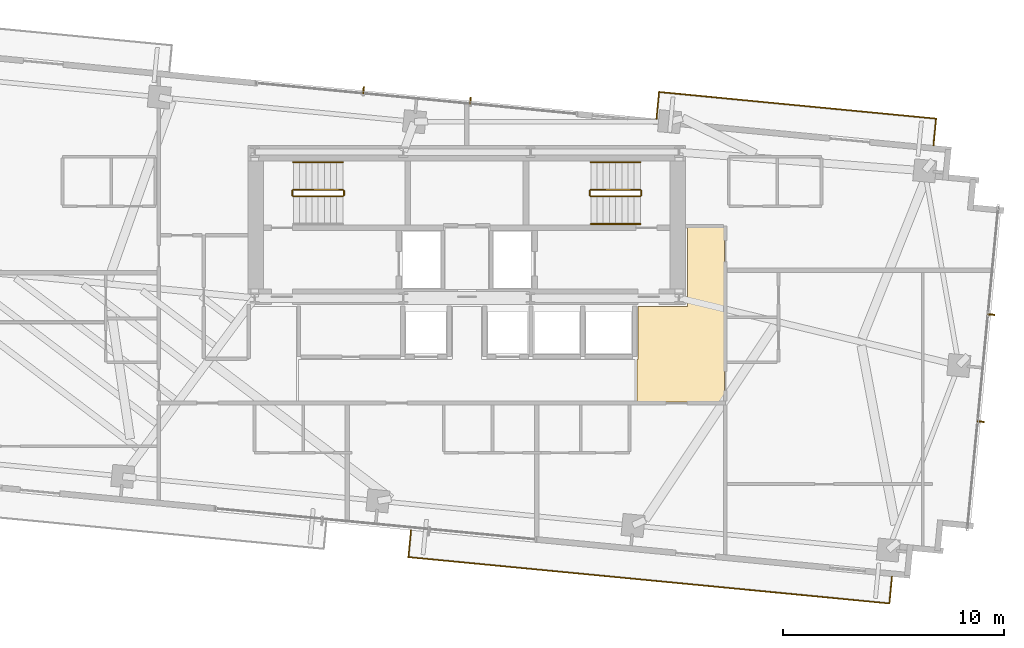
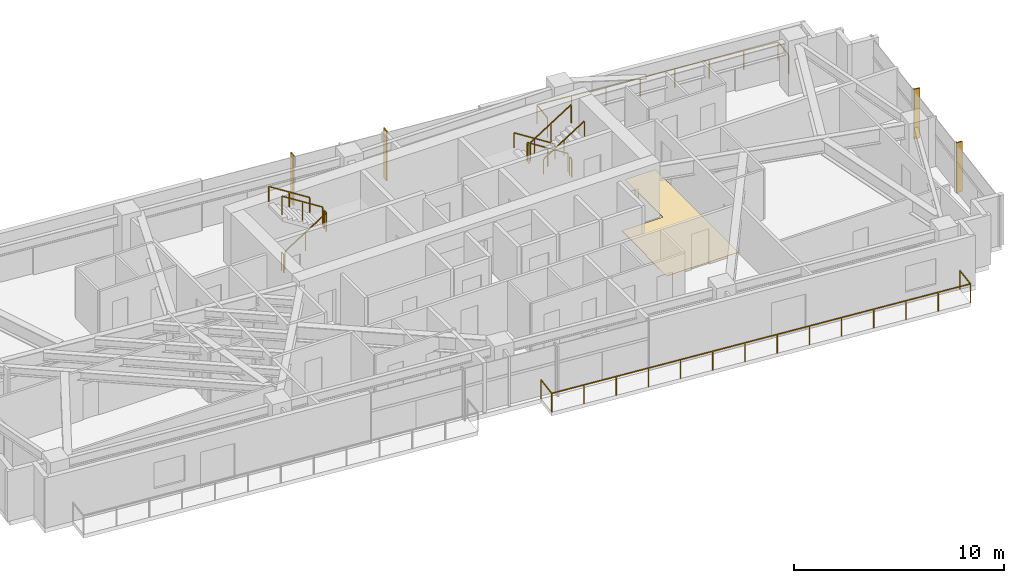
# One storey, part 20 of 20: 13 railings, 4 shading devices, 1 covering.
"""IFC4 building model written with IfcOpenShell, lengths in metres."""

from ifc_helpers import new_model, si_unit, direction, frame, origin, origin_2d, place, context, subcontext, project, spatial, polyline, rectangle, outline, extrude, source, transform, mapped, material, layer, layer_set, type_object, type_shapes, element, save


model = new_model("IFC4")

# Units and contexts
model_context = context("Model", 3, precision=1e-05, world=origin(), true_north=direction((0.0, 1.0)))
body_context = subcontext(model_context, "Body", "Model", "MODEL_VIEW")
ifc_project = project(units=[si_unit("LENGTHUNIT", "METRE"), si_unit("AREAUNIT", "SQUARE_METRE"), si_unit("VOLUMEUNIT", "CUBIC_METRE"), si_unit("PLANEANGLEUNIT", "RADIAN"), si_unit("MASSUNIT", "GRAM", prefix="KILO")], contexts=[model_context])

# Site, building, storey
site_placement = place(None, origin())
site = spatial("IfcSite", under=ifc_project, at=site_placement, CompositionType="ELEMENT")
building_placement = place(site_placement, origin())
building = spatial("IfcBuilding", under=site, at=building_placement, Name="Astriad Promenade Condominiums", CompositionType="ELEMENT")
storey_placement = place(building_placement, frame((0.0, 0.0, 159.800048828125)))
storey = spatial("IfcBuildingStorey", under=building, at=storey_placement, Name="L46", CompositionType="ELEMENT", Elevation=159.800048828125)

# Covering
ifc_material_1 = material(Name="Polished Lakefront Terrazzo Flooring")
ifc_layer = layer(ifc_material_1, 0.02001953125)
ifc_layer_set = layer_set([ifc_layer], Name="Polished Lakefront Terrazzo Flooring")
covering_type = type_object("IfcCoveringType", Name="COV-FLOR-TERRAZZO-20", PredefinedType="FLOORING", material=ifc_layer_set)
covering_placement = place(storey_placement, origin())
element("IfcCovering", 1, at=covering_placement, inside=storey, type_object=covering_type, Name="FLR-L46-COR-1", PredefinedType="FLOORING", context=body_context, shape_type="SweptSolid", body=[
    extrude(outline(polyline([(43.699951171875, 12.68994140625), (43.699951171875, 14.610107421875), (43.703857421875, 14.610107421875), (43.707763671875, 14.61083984375), (43.711669921875, 14.61181640625), (43.71533203125, 14.613037109375), (43.718994140625, 14.61474609375), (43.72216796875, 14.61669921875), (43.725341796875, 14.619140625), (43.728271484375, 14.62158203125), (43.73095703125, 14.62451171875), (43.7333984375, 14.627685546875), (43.7353515625, 14.631103515625), (43.737060546875, 14.634765625), (43.73828125, 14.638427734375), (43.7392578125, 14.64208984375), (43.73974609375, 14.64599609375), (43.739990234375, 14.64990234375), (43.739990234375, 17.010009765625), (45.949951171875, 17.010009765625), (45.953857421875, 17.01025390625), (45.957763671875, 17.0107421875), (45.961669921875, 17.01171875), (45.96533203125, 17.012939453125), (45.968994140625, 17.0146484375), (45.97216796875, 17.0166015625), (45.975341796875, 17.01904296875), (45.978271484375, 17.021728515625), (45.98095703125, 17.024658203125), (45.9833984375, 17.02783203125), (45.9853515625, 17.031005859375), (45.987060546875, 17.03466796875), (45.98828125, 17.038330078125), (45.9892578125, 17.042236328125), (45.98974609375, 17.046142578125), (45.989990234375, 17.050048828125), (45.989990234375, 20.610107421875), (47.659912109375, 20.610107421875), (47.659912109375, 12.68994140625), (43.699951171875, 12.68994140625)])), origin(), (0.0, 0.0, 1.0), 0.02001953125),
])

# Railings
ifc_material_2 = material(Name="Laminated Glass and Stainless Steel Balustrade", Category="steel")
railing_type_1 = type_object("IfcRailingType", Name="GRD-BALC-1120", PredefinedType="BALUSTRADE", material=ifc_material_2)
shared_shape_1 = source(origin(), body_context, "Body", "SweptSolid", [
    extrude(rectangle(XDim=0.048095703125, YDim=0.048095703125, at=origin_2d()), frame((0.0, 0.0, 1.09619140625), z_axis=(-0.095876405589, -0.995393246336, 0.0), x_axis=(0.995393246336, -0.095876405589, 0.0)), (0.0, 0.0, 1.0), 1.2197265625),
    extrude(rectangle(XDim=0.048095703125, YDim=0.048095703125, at=origin_2d()), frame((-0.116943359375, -1.214111328125, 1.09619140625), z_axis=(0.995395415331, -0.095853884316, 0.0), x_axis=(0.095853884316, 0.995395415331, 0.0)), (0.0, 0.0, 1.0), 21.865966796875),
    extrude(rectangle(XDim=0.048095703125, YDim=0.048095703125, at=origin_2d()), frame((21.6484375, -3.31005859375, 1.09619140625), z_axis=(0.095857307208, 0.99539508571, 0.0), x_axis=(-0.99539508571, 0.095857307208, 0.0)), (0.0, 0.0, 1.0), 1.219970703125),
    extrude(rectangle(XDim=0.0419921875, YDim=0.0419921875, at=origin_2d()), origin(), (0.0, 0.0, 1.0), 1.072021484375),
    extrude(rectangle(XDim=0.0419921875, YDim=0.0419921875, at=origin_2d()), frame((-0.116943359375, -1.214111328125, 0.0)), (0.0, 0.0, 1.0), 1.072021484375),
    extrude(rectangle(XDim=0.0419921875, YDim=0.0419921875, at=origin_2d()), frame((1.557373046875, -1.375244140625, 0.0)), (0.0, 0.0, 1.0), 1.072021484375),
    extrude(rectangle(XDim=0.0419921875, YDim=0.0419921875, at=origin_2d()), frame((3.231689453125, -1.53662109375, 0.0)), (0.0, 0.0, 1.0), 1.072021484375),
    extrude(rectangle(XDim=0.0419921875, YDim=0.0419921875, at=origin_2d()), frame((4.90576171875, -1.69775390625, 0.0)), (0.0, 0.0, 1.0), 1.072021484375),
    extrude(rectangle(XDim=0.0419921875, YDim=0.0419921875, at=origin_2d()), frame((6.580078125, -1.859130859375, 0.0)), (0.0, 0.0, 1.0), 1.072021484375),
    extrude(rectangle(XDim=0.0419921875, YDim=0.0419921875, at=origin_2d()), frame((8.25439453125, -2.020263671875, 0.0)), (0.0, 0.0, 1.0), 1.072021484375),
    extrude(rectangle(XDim=0.0419921875, YDim=0.0419921875, at=origin_2d()), frame((9.9287109375, -2.181396484375, 0.0)), (0.0, 0.0, 1.0), 1.072021484375),
    extrude(rectangle(XDim=0.0419921875, YDim=0.0419921875, at=origin_2d()), frame((11.602783203125, -2.3427734375, 0.0)), (0.0, 0.0, 1.0), 1.072021484375),
    extrude(rectangle(XDim=0.0419921875, YDim=0.0419921875, at=origin_2d()), frame((13.277099609375, -2.50390625, 0.0)), (0.0, 0.0, 1.0), 1.072021484375),
    extrude(rectangle(XDim=0.0419921875, YDim=0.0419921875, at=origin_2d()), frame((14.951416015625, -2.6650390625, 0.0)), (0.0, 0.0, 1.0), 1.072021484375),
    extrude(rectangle(XDim=0.0419921875, YDim=0.0419921875, at=origin_2d()), frame((16.625732421875, -2.826416015625, 0.0)), (0.0, 0.0, 1.0), 1.072021484375),
    extrude(rectangle(XDim=0.0419921875, YDim=0.0419921875, at=origin_2d()), frame((18.2998046875, -2.987548828125, 0.0)), (0.0, 0.0, 1.0), 1.072021484375),
    extrude(rectangle(XDim=0.0419921875, YDim=0.0419921875, at=origin_2d()), frame((19.97412109375, -3.14892578125, 0.0)), (0.0, 0.0, 1.0), 1.072021484375),
    extrude(rectangle(XDim=0.0419921875, YDim=0.0419921875, at=origin_2d()), frame((21.6484375, -3.31005859375, 0.0)), (0.0, 0.0, 1.0), 1.072021484375),
    extrude(rectangle(XDim=0.0419921875, YDim=0.0419921875, at=origin_2d()), frame((21.765380859375, -2.095703125, 0.0)), (0.0, 0.0, 1.0), 1.072021484375),
])
railing_1_placement = place(storey_placement, frame((33.47119140625, 6.889892578125, 0.0)))
element("IfcRailing", 2, at=railing_1_placement, inside=storey, type_object=railing_type_1, Name="GRD-BALC-L46-SE", PredefinedType="BALUSTRADE", context=body_context, shape_type="MappedRepresentation", body=[
    mapped(shared_shape_1, transform((0.0, 0.0, 0.0), scale=1.0)),
])
shared_shape_2 = source(origin(), body_context, "Body", "SweptSolid", [
    extrude(rectangle(XDim=0.048095703125, YDim=0.048095703125, at=origin_2d()), frame((0.0, 0.0, 1.09619140625), z_axis=(0.095857307208, 0.99539508571, 0.0), x_axis=(-0.99539508571, 0.095857307208, 0.0)), (0.0, 0.0, 1.0), 1.219970703125),
    extrude(rectangle(XDim=0.048095703125, YDim=0.048095703125, at=origin_2d()), frame((0.116943359375, 1.21435546875, 1.09619140625), z_axis=(-0.995394811268, 0.095860157002, 0.0), x_axis=(-0.095860157002, -0.995394811268, 0.0)), (0.0, 0.0, 1.0), 12.59423828125),
    extrude(rectangle(XDim=0.048095703125, YDim=0.048095703125, at=origin_2d()), frame((-12.419189453125, 2.421630859375, 1.09619140625), z_axis=(-0.0958382164, -0.995396923984, 0.0), x_axis=(0.995396923984, -0.0958382164, 0.0)), (0.0, 0.0, 1.0), 1.22021484375),
    extrude(rectangle(XDim=0.0419921875, YDim=0.0419921875, at=origin_2d()), origin(), (0.0, 0.0, 1.0), 1.072021484375),
    extrude(rectangle(XDim=0.0419921875, YDim=0.0419921875, at=origin_2d()), frame((0.116943359375, 1.21435546875, 0.0)), (0.0, 0.0, 1.0), 1.072021484375),
    extrude(rectangle(XDim=0.0419921875, YDim=0.0419921875, at=origin_2d()), frame((-1.673828125, 1.38671875, 0.0)), (0.0, 0.0, 1.0), 1.072021484375),
    extrude(rectangle(XDim=0.0419921875, YDim=0.0419921875, at=origin_2d()), frame((-3.46484375, 1.559326171875, 0.0)), (0.0, 0.0, 1.0), 1.072021484375),
    extrude(rectangle(XDim=0.0419921875, YDim=0.0419921875, at=origin_2d()), frame((-5.255615234375, 1.731689453125, 0.0)), (0.0, 0.0, 1.0), 1.072021484375),
    extrude(rectangle(XDim=0.0419921875, YDim=0.0419921875, at=origin_2d()), frame((-7.046630859375, 1.904296875, 0.0)), (0.0, 0.0, 1.0), 1.072021484375),
    extrude(rectangle(XDim=0.0419921875, YDim=0.0419921875, at=origin_2d()), frame((-8.83740234375, 2.07666015625, 0.0)), (0.0, 0.0, 1.0), 1.072021484375),
    extrude(rectangle(XDim=0.0419921875, YDim=0.0419921875, at=origin_2d()), frame((-10.62841796875, 2.249267578125, 0.0)), (0.0, 0.0, 1.0), 1.072021484375),
    extrude(rectangle(XDim=0.0419921875, YDim=0.0419921875, at=origin_2d()), frame((-12.419189453125, 2.421630859375, 0.0)), (0.0, 0.0, 1.0), 1.072021484375),
    extrude(rectangle(XDim=0.0419921875, YDim=0.0419921875, at=origin_2d()), frame((-12.5361328125, 1.20703125, 0.0)), (0.0, 0.0, 1.0), 1.072021484375),
])
type_shapes(railing_type_1, [shared_shape_1, shared_shape_2])
railing_2_placement = place(storey_placement, frame((57.115234375, 24.303955078125, 0.0)))
element("IfcRailing", 3, at=railing_2_placement, inside=storey, type_object=railing_type_1, Name="GRD-BALC-L46-NE", PredefinedType="BALUSTRADE", context=body_context, shape_type="MappedRepresentation", body=[
    mapped(shared_shape_2, transform((0.0, 0.0, 0.0), scale=1.0)),
])

# Shading devices
ifc_material_3 = material(Name="Anodised aluminium 6063-T6 Black Fin", Category="aluminium")
shading_device_type = type_object("IfcShadingDeviceType", Name="FIN-BLACK-260", PredefinedType="USERDEFINED", material=ifc_material_3)
shared_shape_3 = source(origin(), body_context, "Body", "SweptSolid", [
    extrude(rectangle(XDim=0.06494140625, YDim=0.320068359375, at=origin_2d()), origin(), (0.0, 0.0, 1.0), 2.89990234375),
])
type_shapes(shading_device_type, [shared_shape_3])
for number, where, z_axis, x_axis, name in (
    (4, (31.3212890625, 26.7978515625, 0.0), (0.0, 0.0, 1.0), (0.995396198367, -0.09584575252, 0.0), "CW-L46-N-FIN-01"),
    (5, (36.1591796875, 26.331787109375, 0.0), (0.0, 0.0, 1.0), (0.995396198367, -0.09584575252, 0.0), "CW-L46-N-FIN-02"),
    (6, (59.7197265625, 16.652587890625, 0.0), (0.0, 0.0, 1.0), (-0.09584575252, -0.995396198367, 0.0), "CW-L46-E-FIN-01"),
    (7, (59.25341796875, 11.808349609375, 0.0), (0.0, 0.0, 1.0), (-0.09584575252, -0.995396198367, 0.0), "CW-L46-E-FIN-02"),
):
    element("IfcShadingDevice", number, at=place(storey_placement, frame(where, z_axis=z_axis, x_axis=x_axis)), inside=storey, type_object=shading_device_type, Name=name, ObjectType="FIN", PredefinedType="USERDEFINED", context=body_context, shape_type="MappedRepresentation", body=[
        mapped(shared_shape_3, transform((0.0, 0.0, 0.0), scale=1.0)),
    ])

# Railings
ifc_material_4 = material(Name="Painted Galvanised Steel Guardrail", Category="steel")
railing_type_2 = type_object("IfcRailingType", Name="GRD-STAIR-1100", PredefinedType="GUARDRAIL", material=ifc_material_4)
shared_shape_4 = source(origin(), body_context, "Body", "SweptSolid", [
    extrude(rectangle(XDim=0.048095703125, YDim=0.048095703125, at=origin_2d()), frame((0.0, 0.0, 1.076171875), z_axis=(0.0, 1.0, 0.0), x_axis=(-1.0, 0.0, 0.0)), (0.0, 0.0, 1.0), 0.199951171875),
    extrude(rectangle(XDim=0.0419921875, YDim=0.0419921875, at=origin_2d()), origin(), (0.0, 0.0, 1.0), 1.052001953125),
    extrude(rectangle(XDim=0.0419921875, YDim=0.0419921875, at=origin_2d()), frame((0.0, 0.199951171875, 0.0)), (0.0, 0.0, 1.0), 1.052001953125),
])
for number, where, name in (
    (8, (30.43994140625, 22.050048828125, 1.599853515625), "L46 ST-1 stair guard 2"),
    (9, (28.10009765625, 22.050048828125, 0.0), "L46 ST-1 stair guard 4"),
):
    element("IfcRailing", number, at=place(storey_placement, frame(where)), inside=storey, type_object=railing_type_2, Name=name, PredefinedType="GUARDRAIL", context=body_context, shape_type="MappedRepresentation", body=[
        mapped(shared_shape_4, transform((0.0, 0.0, 0.0), scale=1.0)),
    ])
shared_shape_5 = source(origin(), body_context, "Body", "SweptSolid", [
    extrude(rectangle(XDim=0.048095703125, YDim=0.048095703125, at=origin_2d()), frame((0.0, 0.0, 1.076171875), z_axis=(-0.8442293374, 0.0, 0.53598211339), x_axis=(0.0, -1.0, 0.0)), (0.0, 0.0, 1.0), 2.6533203125),
    extrude(rectangle(XDim=0.0419921875, YDim=0.0419921875, at=origin_2d()), origin(), (0.0, 0.0, 1.0), 1.052001953125),
    extrude(rectangle(XDim=0.0419921875, YDim=0.0419921875, at=origin_2d()), frame((-1.1201171875, 0.0, 0.7109375)), (0.0, 0.0, 1.0), 1.052001953125),
    extrude(rectangle(XDim=0.0419921875, YDim=0.0419921875, at=origin_2d()), frame((-2.239990234375, 0.0, 1.422119140625)), (0.0, 0.0, 1.0), 1.052001953125),
])
for number, where, name in (
    (10, (30.389892578125, 22.300048828125, 1.77783203125), "L46 ST-1 stair guard 3"),
    (11, (43.85009765625, 22.300048828125, 0.177734375), "L46 ST-2 stair guard 1"),
):
    element("IfcRailing", number, at=place(storey_placement, frame(where)), inside=storey, type_object=railing_type_2, Name=name, PredefinedType="GUARDRAIL", context=body_context, shape_type="MappedRepresentation", body=[
        mapped(shared_shape_5, transform((0.0, 0.0, 0.0), scale=1.0)),
    ])
ifc_material_5 = material(Name="Brushed Stainless Steel Handrail", Category="steel")
railing_type_3 = type_object("IfcRailingType", Name="HRL-STAIR-920", PredefinedType="HANDRAIL", material=ifc_material_5)
shared_shape_6 = source(origin(), body_context, "Body", "SweptSolid", [
    extrude(rectangle(XDim=0.048095703125, YDim=0.048095703125, at=origin_2d()), frame((0.0, 0.0, 0.8759765625), z_axis=(-0.8442293374, 0.0, 0.53598211339), x_axis=(0.0, -1.0, 0.0)), (0.0, 0.0, 1.0), 2.6533203125),
    extrude(rectangle(XDim=0.0419921875, YDim=0.0419921875, at=origin_2d()), origin(), (0.0, 0.0, 1.0), 0.851806640625),
    extrude(rectangle(XDim=0.0419921875, YDim=0.0419921875, at=origin_2d()), frame((-1.1201171875, 0.0, 0.7109375)), (0.0, 0.0, 1.0), 0.851806640625),
    extrude(rectangle(XDim=0.0419921875, YDim=0.0419921875, at=origin_2d()), frame((-2.239990234375, 0.0, 1.422119140625)), (0.0, 0.0, 1.0), 0.851806640625),
])
for number, where, name in (
    (12, (30.389892578125, 23.550048828125, 1.77783203125), "L46 ST-1 stair handrail 2"),
    (13, (43.85009765625, 23.550048828125, 0.177734375), "L46 ST-2 stair handrail 1"),
):
    element("IfcRailing", number, at=place(storey_placement, frame(where)), inside=storey, type_object=railing_type_3, Name=name, PredefinedType="HANDRAIL", context=body_context, shape_type="MappedRepresentation", body=[
        mapped(shared_shape_6, transform((0.0, 0.0, 0.0), scale=1.0)),
    ])
shared_shape_7 = source(origin(), body_context, "Body", "SweptSolid", [
    extrude(rectangle(XDim=0.048095703125, YDim=0.048095703125, at=origin_2d()), frame((0.0, 0.0, 1.076171875), z_axis=(0.8442293374, 0.0, 0.53598211339), x_axis=(0.0, 1.0, 0.0)), (0.0, 0.0, 1.0), 2.6533203125),
    extrude(rectangle(XDim=0.0419921875, YDim=0.0419921875, at=origin_2d()), origin(), (0.0, 0.0, 1.0), 1.052001953125),
    extrude(rectangle(XDim=0.0419921875, YDim=0.0419921875, at=origin_2d()), frame((1.1201171875, 0.0, 0.7109375)), (0.0, 0.0, 1.0), 1.052001953125),
    extrude(rectangle(XDim=0.0419921875, YDim=0.0419921875, at=origin_2d()), frame((2.239990234375, 0.0, 1.422119140625)), (0.0, 0.0, 1.0), 1.052001953125),
])
for number, where, name in (
    (14, (28.14990234375, 22.0, 0.177734375), "L46 ST-1 stair guard 1"),
    (15, (41.610107421875, 22.0, 1.77783203125), "L46 ST-2 stair guard 3"),
):
    element("IfcRailing", number, at=place(storey_placement, frame(where)), inside=storey, type_object=railing_type_2, Name=name, PredefinedType="GUARDRAIL", context=body_context, shape_type="MappedRepresentation", body=[
        mapped(shared_shape_7, transform((0.0, 0.0, 0.0), scale=1.0)),
    ])
shared_shape_8 = source(origin(), body_context, "Body", "SweptSolid", [
    extrude(rectangle(XDim=0.048095703125, YDim=0.048095703125, at=origin_2d()), frame((0.0, 0.0, 0.8759765625), z_axis=(0.8442293374, 0.0, 0.53598211339), x_axis=(0.0, 1.0, 0.0)), (0.0, 0.0, 1.0), 2.6533203125),
    extrude(rectangle(XDim=0.0419921875, YDim=0.0419921875, at=origin_2d()), origin(), (0.0, 0.0, 1.0), 0.851806640625),
    extrude(rectangle(XDim=0.0419921875, YDim=0.0419921875, at=origin_2d()), frame((1.1201171875, 0.0, 0.7109375)), (0.0, 0.0, 1.0), 0.851806640625),
    extrude(rectangle(XDim=0.0419921875, YDim=0.0419921875, at=origin_2d()), frame((2.239990234375, 0.0, 1.422119140625)), (0.0, 0.0, 1.0), 0.851806640625),
])
type_shapes(railing_type_3, [shared_shape_6, shared_shape_8])
railing_3_placement = place(storey_placement, frame((41.610107421875, 20.75, 1.77783203125)))
element("IfcRailing", 16, at=railing_3_placement, inside=storey, type_object=railing_type_3, Name="L46 ST-2 stair handrail 2", PredefinedType="HANDRAIL", context=body_context, shape_type="MappedRepresentation", body=[
    mapped(shared_shape_8, transform((0.0, 0.0, 0.0), scale=1.0)),
])
shared_shape_9 = source(origin(), body_context, "Body", "SweptSolid", [
    extrude(rectangle(XDim=0.048095703125, YDim=0.048095703125, at=origin_2d()), frame((0.0, 0.0, 1.076171875), z_axis=(0.0, -1.0, 0.0), x_axis=(1.0, 0.0, 0.0)), (0.0, 0.0, 1.0), 0.199951171875),
    extrude(rectangle(XDim=0.0419921875, YDim=0.0419921875, at=origin_2d()), origin(), (0.0, 0.0, 1.0), 1.052001953125),
    extrude(rectangle(XDim=0.0419921875, YDim=0.0419921875, at=origin_2d()), frame((0.0, -0.199951171875, 0.0)), (0.0, 0.0, 1.0), 1.052001953125),
])
type_shapes(railing_type_2, [shared_shape_4, shared_shape_5, shared_shape_7, shared_shape_9])
for number, where, name in (
    (17, (41.56005859375, 22.25, 1.599853515625), "L46 ST-2 stair guard 2"),
    (18, (43.89990234375, 22.25, 0.0), "L46 ST-2 stair guard 4"),
):
    element("IfcRailing", number, at=place(storey_placement, frame(where)), inside=storey, type_object=railing_type_2, Name=name, PredefinedType="GUARDRAIL", context=body_context, shape_type="MappedRepresentation", body=[
        mapped(shared_shape_9, transform((0.0, 0.0, 0.0), scale=1.0)),
    ])

save(model, "model.ifc")
